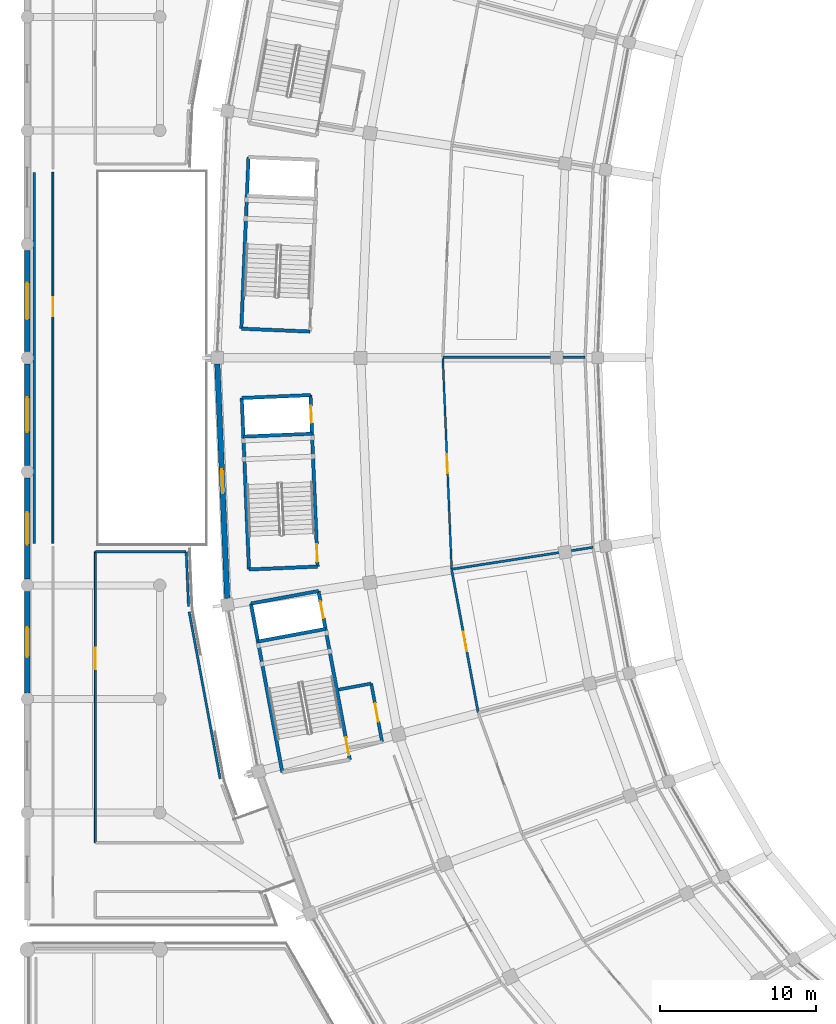
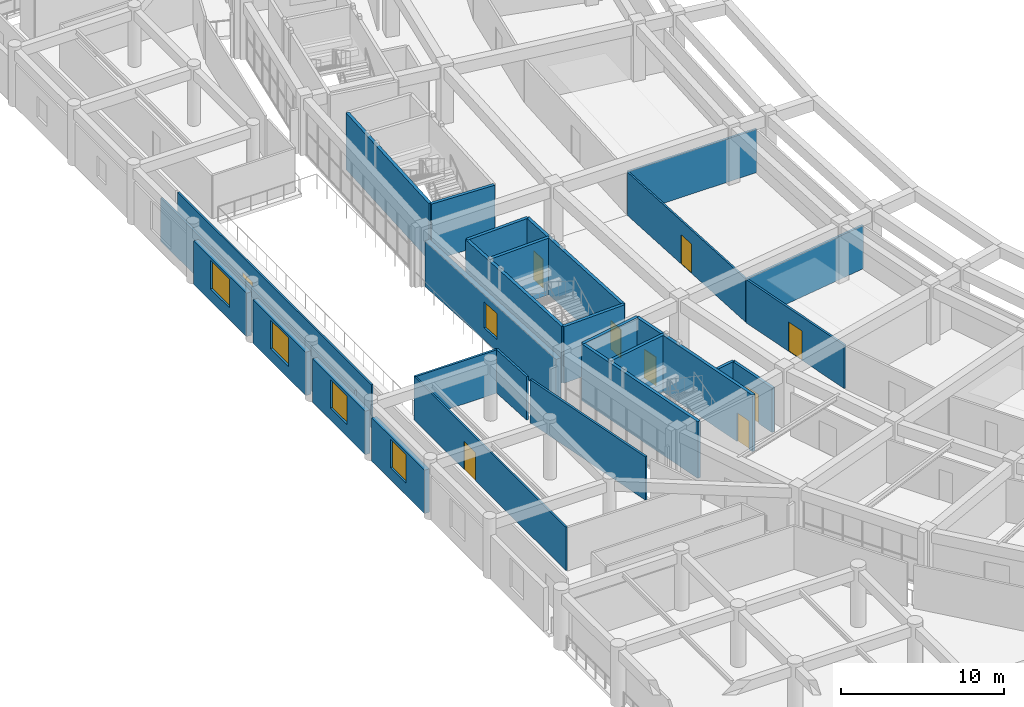
# One storey, part 97 of 145: 28 walls, 9 doors, 5 windows, 14 openings.
"""IFC4 building model written with IfcOpenShell, lengths in metres."""

from ifc_helpers import new_model, si_unit, direction, frame, frame_2d, origin, place, context, subcontext, project, spatial, rectangle, extrude, material, layer, layer_set, type_object, element, fill, save


model = new_model("IFC4")

# Units and contexts
model_context = context("Model", 3, precision=1e-05, world=origin(), true_north=direction((0.0, 1.0)))
body_context = subcontext(model_context, "Body", "Model", "MODEL_VIEW")
ifc_project = project(units=[si_unit("LENGTHUNIT", "METRE"), si_unit("AREAUNIT", "SQUARE_METRE"), si_unit("VOLUMEUNIT", "CUBIC_METRE"), si_unit("PLANEANGLEUNIT", "RADIAN"), si_unit("MASSUNIT", "GRAM", prefix="KILO")], contexts=[model_context])

# Site, building, storey
site_placement = place(None, origin())
site = spatial("IfcSite", under=ifc_project, at=site_placement, CompositionType="ELEMENT")
building_placement = place(site_placement, origin())
building = spatial("IfcBuilding", under=site, at=building_placement, Name="Mphavela Belvedere Stadium", CompositionType="ELEMENT")
storey_placement = place(building_placement, frame((0.0, 0.0, 10.199951171875)))
storey = spatial("IfcBuildingStorey", under=building, at=storey_placement, Name="L02", CompositionType="ELEMENT", Elevation=10.199951171875)

# Walls
ifc_material_1 = material(Name="Concrete C40/50", Category="concrete")
ifc_layer_1 = layer(ifc_material_1, 0.219970703125)
ifc_layer_set_1 = layer_set([ifc_layer_1], Name="Concrete C40/50")
wall_type_1 = type_object("IfcWallType", Name="WAL-CORE-SHEAR-220", PredefinedType="SHEAR", material=ifc_layer_set_1)
wall_1_placement = place(storey_placement, frame((13.737548828125, 88.87548828125, 0.0), z_axis=(0.0, 0.0, 1.0), x_axis=(0.041871977473, 0.999122984173, 0.0)))
element("IfcWall", 1, at=wall_1_placement, inside=storey, type_object=wall_type_1, Name="Core C07 shear wall L02 rear", PredefinedType="SHEAR", context=body_context, shape_type="SweptSolid", body=[
    extrude(rectangle(XDim=11.02001953125, YDim=0.219970703125, at=frame_2d((5.510009765625, 0.0))), origin(), (0.0, 0.0, 1.0), 4.25),
])
wall_2_placement = place(storey_placement, frame((18.143798828125, 88.69091796875, 0.0), z_axis=(0.0, 0.0, 1.0), x_axis=(-0.999123838087, 0.041851596941, 0.0)))
element("IfcWall", 2, at=wall_2_placement, inside=storey, type_object=wall_type_1, Name="Core C07 shear wall L02 left", PredefinedType="SHEAR", context=body_context, shape_type="SweptSolid", body=[
    extrude(rectangle(XDim=4.41015625, YDim=0.219970703125, at=frame_2d((2.205078125, 0.0))), origin(), (0.0, 0.0, 1.0), 4.25),
])
wall_3_placement = place(storey_placement, frame((14.228271484375, 73.414794921875, 0.0), z_axis=(0.0, 0.0, 1.0), x_axis=(-0.041871977473, 0.999122984173, 0.0)))
element("IfcWall", 3, at=wall_3_placement, inside=storey, type_object=wall_type_1, Name="Core C08 shear wall L02 rear", PredefinedType="SHEAR", context=body_context, shape_type="SweptSolid", body=[
    extrude(rectangle(XDim=11.02001953125, YDim=0.219970703125, at=frame_2d((5.510009765625, 0.0))), origin(), (0.0, 0.0, 1.0), 4.25),
])
for number, where, z_axis, x_axis, name in (
    (4, (18.634521484375, 73.599609375, 0.0), (0.0, 0.0, 1.0), (-0.999121521721, -0.041906859039, 0.0), "Core C08 shear wall L02 left"),
    (5, (18.173095703125, 84.60986328125, 0.0), (0.0, 0.0, 1.0), (-0.999121521721, -0.041906859039, 0.0), "Core C08 shear wall L02 right"),
):
    element("IfcWall", number, at=place(storey_placement, frame(where, z_axis=z_axis, x_axis=x_axis)), inside=storey, type_object=wall_type_1, Name=name, PredefinedType="SHEAR", context=body_context, shape_type="SweptSolid", body=[
        extrude(rectangle(XDim=4.41015625, YDim=0.219970703125, at=frame_2d((2.205078125, 0.0))), origin(), (0.0, 0.0, 1.0), 4.25),
    ])

# Wall, openings, doors
wall_4_placement = place(storey_placement, frame((18.634521484375, 73.599609375, 0.0), z_axis=(0.0, 0.0, 1.0), x_axis=(-0.041871977473, 0.999122984173, 0.0)))
wall_4 = element("IfcWall", 6, at=wall_4_placement, inside=storey, type_object=wall_type_1, Name="Core C08 shear wall L02 front", PredefinedType="SHEAR", context=body_context, shape_type="SweptSolid", body=[
    extrude(rectangle(XDim=11.02001953125, YDim=0.219970703125, at=frame_2d((5.510009765625, 0.0))), origin(), (0.0, 0.0, 1.0), 4.25),
])
opening_1_placement = place(wall_4_placement, frame((0.300048828125, 0.0, 0.0)))
opening_1 = element("IfcOpeningElement", 7, at=opening_1_placement, cuts=wall_4, Name="Opening SD-041", PredefinedType="OPENING", context=body_context, shape_type="SweptSolid", body=[
    extrude(rectangle(XDim=1.14990234375, YDim=2.14990234375, at=frame_2d((0.574951171875, 1.074951171875))), frame((0.0, 0.1201171875, 0.0), z_axis=(0.0, -1.0, 0.0), x_axis=(1.0, 0.0, 0.0)), (0.0, 0.0, 1.0), 0.239990234375),
])
opening_2_placement = place(wall_4_placement, frame((9.22998046875, 0.0, 0.0)))
opening_2 = element("IfcOpeningElement", 8, at=opening_2_placement, cuts=wall_4, Name="Opening LD-041", PredefinedType="OPENING", context=body_context, shape_type="SweptSolid", body=[
    extrude(rectangle(XDim=1.10009765625, YDim=2.14990234375, at=frame_2d((0.550048828125, 1.074951171875))), frame((0.0, 0.1201171875, 0.0), z_axis=(0.0, -1.0, 0.0), x_axis=(1.0, 0.0, 0.0)), (0.0, 0.0, 1.0), 0.239990234375),
])
ifc_material_2 = material(Name="Stainless steel center-parting lift landing door", Category="steel")
door_type_1 = type_object("IfcDoorType", Name="DR-LIFT-SLIDE-1100", OperationType="NOTDEFINED", PredefinedType="DOOR", material=ifc_material_2)
door_1_placement = place(opening_2_placement, origin())
door_1 = element("IfcDoor", 9, at=door_1_placement, inside=storey, type_object=door_type_1, Name="Lift landing sliding door PL04 L02", OperationType="DOUBLE_DOOR_SLIDING", OverallHeight=2.14990234375, OverallWidth=1.10009765625, PredefinedType="DOOR", context=body_context, shape_type="SweptSolid", body=[
    extrude(rectangle(XDim=1.10009765625, YDim=2.14990234375, at=frame_2d((0.550048828125, 1.074951171875))), frame((0.0, 0.02490234375, 0.0), z_axis=(0.0, -1.0, 0.0), x_axis=(1.0, 0.0, 0.0)), (0.0, 0.0, 1.0), 0.050048828125),
])
fill(opening_2, door_1)
ifc_material_3 = material(Name="Steel acoustic fire-resisting stair doorset", Category="steel")
door_type_2 = type_object("IfcDoorType", Name="DR-STAIR-FIRE-1150", OperationType="NOTDEFINED", PredefinedType="DOOR", material=ifc_material_3)
door_2_placement = place(opening_1_placement, origin())
door_2 = element("IfcDoor", 10, at=door_2_placement, inside=storey, type_object=door_type_2, Name="Escape stair fire door C08 L02", OperationType="SINGLE_SWING_LEFT", OverallHeight=2.14990234375, OverallWidth=1.14990234375, PredefinedType="DOOR", context=body_context, shape_type="SweptSolid", body=[
    extrude(rectangle(XDim=1.14990234375, YDim=2.14990234375, at=frame_2d((0.574951171875, 1.074951171875))), frame((0.0, 0.02490234375, 0.0), z_axis=(0.0, -1.0, 0.0), x_axis=(1.0, 0.0, 0.0)), (0.0, 0.0, 1.0), 0.050048828125),
])
fill(opening_1, door_2)

# Walls
wall_5_placement = place(storey_placement, frame((18.27685546875, 82.132080078125, 0.0), z_axis=(0.0, 0.0, 1.0), x_axis=(-0.999121521721, -0.041906859039, 0.0)))
element("IfcWall", 11, at=wall_5_placement, inside=storey, type_object=wall_type_1, Name="Core C08 shear wall L02 div", PredefinedType="SHEAR", context=body_context, shape_type="SweptSolid", body=[
    extrude(rectangle(XDim=4.41015625, YDim=0.219970703125, at=frame_2d((2.205078125, 0.0))), origin(), (0.0, 0.0, 1.0), 4.25),
])
wall_6_placement = place(storey_placement, frame((16.367919921875, 60.391845703125, 0.0), z_axis=(0.0, 0.0, 1.0), x_axis=(-0.182570778451, 0.983192712979, 0.0)))
element("IfcWall", 12, at=wall_6_placement, inside=storey, type_object=wall_type_1, Name="Core C09 shear wall L02 rear", PredefinedType="SHEAR", context=body_context, shape_type="SweptSolid", body=[
    extrude(rectangle(XDim=11.020263671875, YDim=0.219970703125, at=frame_2d((5.51025390625, 0.0))), origin(), (0.0, 0.0, 1.0), 4.25),
])
wall_7_placement = place(storey_placement, frame((18.69189453125, 72.031982421875, 0.0), z_axis=(0.0, 0.0, 1.0), x_axis=(-0.983191575486, -0.182576904051, 0.0)))
element("IfcWall", 13, at=wall_7_placement, inside=storey, type_object=wall_type_1, Name="Core C09 shear wall L02 right", PredefinedType="SHEAR", context=body_context, shape_type="SweptSolid", body=[
    extrude(rectangle(XDim=4.41015625, YDim=0.219970703125, at=frame_2d((2.205078125, 0.0))), origin(), (0.0, 0.0, 1.0), 4.25),
])

# Wall, openings, doors
wall_8_placement = place(storey_placement, frame((20.703857421875, 61.197021484375, 0.0), z_axis=(0.0, 0.0, 1.0), x_axis=(-0.182570778451, 0.983192712979, 0.0)))
wall_8 = element("IfcWall", 14, at=wall_8_placement, inside=storey, type_object=wall_type_1, Name="Core C09 shear wall L02 front", PredefinedType="SHEAR", context=body_context, shape_type="SweptSolid", body=[
    extrude(rectangle(XDim=11.020263671875, YDim=0.219970703125, at=frame_2d((5.51025390625, 0.0))), origin(), (0.0, 0.0, 1.0), 4.25),
])
opening_3_placement = place(wall_8_placement, frame((0.300048828125, 0.0, 0.0)))
opening_3 = element("IfcOpeningElement", 15, at=opening_3_placement, cuts=wall_8, Name="Opening SD-047", PredefinedType="OPENING", context=body_context, shape_type="SweptSolid", body=[
    extrude(rectangle(XDim=1.14990234375, YDim=2.14990234375, at=frame_2d((0.574951171875, 1.074951171875))), frame((0.0, 0.1201171875, 0.0), z_axis=(0.0, -1.0, 0.0), x_axis=(1.0, 0.0, 0.0)), (0.0, 0.0, 1.0), 0.239990234375),
])
opening_4_placement = place(wall_8_placement, frame((9.22998046875, 0.0, 0.0)))
opening_4 = element("IfcOpeningElement", 16, at=opening_4_placement, cuts=wall_8, Name="Opening LD-047", PredefinedType="OPENING", context=body_context, shape_type="SweptSolid", body=[
    extrude(rectangle(XDim=1.10009765625, YDim=2.14990234375, at=frame_2d((0.550048828125, 1.074951171875))), frame((0.0, 0.1201171875, 0.0), z_axis=(0.0, -1.0, 0.0), x_axis=(1.0, 0.0, 0.0)), (0.0, 0.0, 1.0), 0.239990234375),
])
door_3_placement = place(opening_4_placement, origin())
door_3 = element("IfcDoor", 17, at=door_3_placement, inside=storey, type_object=door_type_1, Name="Lift landing sliding door FL04 L02", OperationType="DOUBLE_DOOR_SLIDING", OverallHeight=2.14990234375, OverallWidth=1.10009765625, PredefinedType="DOOR", context=body_context, shape_type="SweptSolid", body=[
    extrude(rectangle(XDim=1.10009765625, YDim=2.14990234375, at=frame_2d((0.550048828125, 1.074951171875))), frame((0.0, 0.02490234375, 0.0), z_axis=(0.0, -1.0, 0.0), x_axis=(1.0, 0.0, 0.0)), (0.0, 0.0, 1.0), 0.050048828125),
])
fill(opening_4, door_3)
door_4_placement = place(opening_3_placement, origin())
door_4 = element("IfcDoor", 18, at=door_4_placement, inside=storey, type_object=door_type_2, Name="Escape stair fire door C09 L02", OperationType="SINGLE_SWING_LEFT", OverallHeight=2.14990234375, OverallWidth=1.14990234375, PredefinedType="DOOR", context=body_context, shape_type="SweptSolid", body=[
    extrude(rectangle(XDim=1.14990234375, YDim=2.14990234375, at=frame_2d((0.574951171875, 1.074951171875))), frame((0.0, 0.02490234375, 0.0), z_axis=(0.0, -1.0, 0.0), x_axis=(1.0, 0.0, 0.0)), (0.0, 0.0, 1.0), 0.050048828125),
])
fill(opening_3, door_4)

# Wall
wall_9_placement = place(storey_placement, frame((19.14453125, 69.593505859375, 0.0), z_axis=(0.0, 0.0, 1.0), x_axis=(-0.983189729951, -0.18258684213, 0.0)))
element("IfcWall", 19, at=wall_9_placement, inside=storey, type_object=wall_type_1, Name="Core C09 shear wall L02 div", PredefinedType="SHEAR", context=body_context, shape_type="SweptSolid", body=[
    extrude(rectangle(XDim=4.409912109375, YDim=0.219970703125, at=frame_2d((2.205078125, 0.0))), origin(), (0.0, 0.0, 1.0), 4.25),
])

# Wall, opening, window
ifc_material_4 = material(Name="Honed ashlar limestone masonry", Category="masonry")
ifc_layer_2 = layer(ifc_material_4, 0.35009765625)
ifc_layer_set_2 = layer_set([ifc_layer_2], Name="Honed ashlar limestone masonry")
wall_type_2 = type_object("IfcWallType", Name="WAL-EXT-ASHLAR-350", PredefinedType="STANDARD", material=ifc_layer_set_2)
wall_10_placement = place(storey_placement, frame((12.19677734375, 86.602294921875, 0.0), z_axis=(0.0, 0.0, 1.0), x_axis=(0.041898189147, -0.99912188533, 0.0)))
wall_10 = element("IfcWall", 20, at=wall_10_placement, inside=storey, type_object=wall_type_2, Name="Classical ashlar facade wall L02-25", PredefinedType="STANDARD", context=body_context, shape_type="SweptSolid", body=[
    extrude(rectangle(XDim=15.062744140625, YDim=0.35009765625, at=frame_2d((7.53125, 0.0))), origin(), (0.0, 0.0, 1.0), 3.420166015625),
])
opening_5_placement = place(wall_10_placement, frame((6.771484375, 0.0, 0.89990234375)))
opening_5 = element("IfcOpeningElement", 21, at=opening_5_placement, cuts=wall_10, Name="Opening W-026", PredefinedType="OPENING", context=body_context, shape_type="SweptSolid", body=[
    extrude(rectangle(XDim=1.52001953125, YDim=1.949951171875, at=frame_2d((0.760009765625, 0.97509765625))), frame((0.0, 0.18505859375, 0.0), z_axis=(0.0, -1.0, 0.0), x_axis=(1.0, 0.0, 0.0)), (0.0, 0.0, 1.0), 0.3701171875),
])
ifc_material_5 = material(Name="Bronze-anodised thermally broken aluminium window", Category="aluminium")
window_type_1 = type_object("IfcWindowType", Name="WIN-EXT-26", PartitioningType="SINGLE_PANEL", PredefinedType="WINDOW", material=ifc_material_5)
window_1_placement = place(opening_5_placement, origin())
window_1 = element("IfcWindow", 22, at=window_1_placement, inside=storey, type_object=window_type_1, Name="Belvedere gallery window W-026", OverallHeight=1.949951171875, OverallWidth=1.52001953125, PartitioningType="SINGLE_PANEL", PredefinedType="WINDOW", context=body_context, shape_type="SweptSolid", body=[
    extrude(rectangle(XDim=1.52001953125, YDim=1.949951171875, at=frame_2d((0.760009765625, 0.97509765625))), frame((0.0, 0.030029296875, 0.0), z_axis=(0.0, -1.0, 0.0), x_axis=(1.0, 0.0, 0.0)), (0.0, 0.0, 1.0), 0.06005859375),
])
fill(opening_5, window_1)

wall_11_placement = place(storey_placement, frame((0.0, 65.498046875, 0.0), z_axis=(0.0, 0.0, 1.0), x_axis=(0.0, 1.0, 0.0)))
wall_11 = element("IfcWall", 23, at=wall_11_placement, inside=storey, type_object=wall_type_2, Name="West Planted Eaves Peristyle Colonnade outer facade bay L02-03", PredefinedType="STANDARD", context=body_context, shape_type="SweptSolid", body=[
    extrude(rectangle(XDim=6.50390625, YDim=0.35009765625, at=frame_2d((3.251953125, 0.0))), origin(), (0.0, 0.0, 1.0), 3.260009765625),
])
opening_6_placement = place(wall_11_placement, frame((2.281982421875, 0.0, 0.89990234375)))
opening_6 = element("IfcOpeningElement", 24, at=opening_6_placement, cuts=wall_11, Name="Opening W-260", PredefinedType="OPENING", context=body_context, shape_type="SweptSolid", body=[
    extrude(rectangle(XDim=1.93994140625, YDim=2.14990234375, at=frame_2d((0.969970703125, 1.074951171875))), frame((0.0, 0.18505859375, 0.0), z_axis=(0.0, -1.0, 0.0), x_axis=(1.0, 0.0, 0.0)), (0.0, 0.0, 1.0), 0.3701171875),
])
ifc_material_6 = material(Name="Bronze-anodised thermally broken aluminium window", Category="aluminium")
window_type_2 = type_object("IfcWindowType", Name="WIN-EXT-40", PartitioningType="SINGLE_PANEL", PredefinedType="WINDOW", material=ifc_material_6)
window_2_placement = place(opening_6_placement, origin())
window_2 = element("IfcWindow", 25, at=window_2_placement, inside=storey, type_object=window_type_2, Name="West Planted Eaves Peristyle Colonnade classical window W-260", OverallHeight=2.14990234375, OverallWidth=1.93994140625, PartitioningType="SINGLE_PANEL", PredefinedType="WINDOW", context=body_context, shape_type="SweptSolid", body=[
    extrude(rectangle(XDim=1.93994140625, YDim=2.14990234375, at=frame_2d((0.969970703125, 1.074951171875))), frame((0.0, 0.030029296875, 0.0), z_axis=(0.0, -1.0, 0.0), x_axis=(1.0, 0.0, 0.0)), (0.0, 0.0, 1.0), 0.06005859375),
])
fill(opening_6, window_2)

wall_12_placement = place(storey_placement, frame((0.0, 72.798095703125, 0.0), z_axis=(0.0, 0.0, 1.0), x_axis=(0.0, 1.0, 0.0)))
wall_12 = element("IfcWall", 26, at=wall_12_placement, inside=storey, type_object=wall_type_2, Name="West Planted Eaves Peristyle Colonnade outer facade bay L02-04", PredefinedType="STANDARD", context=body_context, shape_type="SweptSolid", body=[
    extrude(rectangle(XDim=6.50390625, YDim=0.35009765625, at=frame_2d((3.251953125, 0.0))), origin(), (0.0, 0.0, 1.0), 3.260009765625),
])
opening_7_placement = place(wall_12_placement, frame((2.2119140625, 0.0, 0.89990234375)))
opening_7 = element("IfcOpeningElement", 27, at=opening_7_placement, cuts=wall_12, Name="Opening W-261", PredefinedType="OPENING", context=body_context, shape_type="SweptSolid", body=[
    extrude(rectangle(XDim=2.080078125, YDim=2.14990234375, at=frame_2d((1.0400390625, 1.074951171875))), frame((0.0, 0.18505859375, 0.0), z_axis=(0.0, -1.0, 0.0), x_axis=(1.0, 0.0, 0.0)), (0.0, 0.0, 1.0), 0.3701171875),
])
ifc_material_7 = material(Name="Bronze-anodised thermally broken aluminium window", Category="aluminium")
window_type_3 = type_object("IfcWindowType", Name="WIN-EXT-41", PartitioningType="SINGLE_PANEL", PredefinedType="WINDOW", material=ifc_material_7)
window_3_placement = place(opening_7_placement, origin())
window_3 = element("IfcWindow", 28, at=window_3_placement, inside=storey, type_object=window_type_3, Name="West Planted Eaves Peristyle Colonnade classical window W-261", OverallHeight=2.14990234375, OverallWidth=2.080078125, PartitioningType="SINGLE_PANEL", PredefinedType="WINDOW", context=body_context, shape_type="SweptSolid", body=[
    extrude(rectangle(XDim=2.080078125, YDim=2.14990234375, at=frame_2d((1.0400390625, 1.074951171875))), frame((0.0, 0.030029296875, 0.0), z_axis=(0.0, -1.0, 0.0), x_axis=(1.0, 0.0, 0.0)), (0.0, 0.0, 1.0), 0.06005859375),
])
fill(opening_7, window_3)

wall_13_placement = place(storey_placement, frame((0.0, 80.097900390625, 0.0), z_axis=(0.0, 0.0, 1.0), x_axis=(0.0, 1.0, 0.0)))
wall_13 = element("IfcWall", 29, at=wall_13_placement, inside=storey, type_object=wall_type_2, Name="West Planted Eaves Peristyle Colonnade outer facade bay L02-05", PredefinedType="STANDARD", context=body_context, shape_type="SweptSolid", body=[
    extrude(rectangle(XDim=6.504150390625, YDim=0.35009765625, at=frame_2d((3.251953125, 0.0))), origin(), (0.0, 0.0, 1.0), 3.260009765625),
])
opening_8_placement = place(wall_13_placement, frame((2.14208984375, 0.0, 0.89990234375)))
opening_8 = element("IfcOpeningElement", 30, at=opening_8_placement, cuts=wall_13, Name="Opening W-262", PredefinedType="OPENING", context=body_context, shape_type="SweptSolid", body=[
    extrude(rectangle(XDim=2.219970703125, YDim=2.14990234375, at=frame_2d((1.10986328125, 1.074951171875))), frame((0.0, 0.18505859375, 0.0), z_axis=(0.0, -1.0, 0.0), x_axis=(1.0, 0.0, 0.0)), (0.0, 0.0, 1.0), 0.3701171875),
])
ifc_material_8 = material(Name="Bronze-anodised thermally broken aluminium window", Category="aluminium")
window_type_4 = type_object("IfcWindowType", Name="WIN-EXT-42", PartitioningType="SINGLE_PANEL", PredefinedType="WINDOW", material=ifc_material_8)
window_4_placement = place(opening_8_placement, origin())
window_4 = element("IfcWindow", 31, at=window_4_placement, inside=storey, type_object=window_type_4, Name="West Planted Eaves Peristyle Colonnade classical window W-262", OverallHeight=2.14990234375, OverallWidth=2.219970703125, PartitioningType="SINGLE_PANEL", PredefinedType="WINDOW", context=body_context, shape_type="SweptSolid", body=[
    extrude(rectangle(XDim=2.219970703125, YDim=2.14990234375, at=frame_2d((1.10986328125, 1.074951171875))), frame((0.0, 0.030029296875, 0.0), z_axis=(0.0, -1.0, 0.0), x_axis=(1.0, 0.0, 0.0)), (0.0, 0.0, 1.0), 0.06005859375),
])
fill(opening_8, window_4)

wall_14_placement = place(storey_placement, frame((0.0, 87.39794921875, 0.0), z_axis=(0.0, 0.0, 1.0), x_axis=(0.0, 1.0, 0.0)))
wall_14 = element("IfcWall", 32, at=wall_14_placement, inside=storey, type_object=wall_type_2, Name="West Planted Eaves Peristyle Colonnade outer facade bay L02-06", PredefinedType="STANDARD", context=body_context, shape_type="SweptSolid", body=[
    extrude(rectangle(XDim=6.504150390625, YDim=0.35009765625, at=frame_2d((3.251953125, 0.0))), origin(), (0.0, 0.0, 1.0), 3.260009765625),
])
opening_9_placement = place(wall_14_placement, frame((2.072021484375, 0.0, 0.89990234375)))
opening_9 = element("IfcOpeningElement", 33, at=opening_9_placement, cuts=wall_14, Name="Opening W-263", PredefinedType="OPENING", context=body_context, shape_type="SweptSolid", body=[
    extrude(rectangle(XDim=2.360107421875, YDim=2.14990234375, at=frame_2d((1.18017578125, 1.074951171875))), frame((0.0, 0.18505859375, 0.0), z_axis=(0.0, -1.0, 0.0), x_axis=(1.0, 0.0, 0.0)), (0.0, 0.0, 1.0), 0.3701171875),
])
ifc_material_9 = material(Name="Bronze-anodised thermally broken aluminium window", Category="aluminium")
window_type_5 = type_object("IfcWindowType", Name="WIN-EXT-43", PartitioningType="SINGLE_PANEL", PredefinedType="WINDOW", material=ifc_material_9)
window_5_placement = place(opening_9_placement, origin())
window_5 = element("IfcWindow", 34, at=window_5_placement, inside=storey, type_object=window_type_5, Name="West Planted Eaves Peristyle Colonnade classical window W-263", OverallHeight=2.14990234375, OverallWidth=2.360107421875, PartitioningType="SINGLE_PANEL", PredefinedType="WINDOW", context=body_context, shape_type="SweptSolid", body=[
    extrude(rectangle(XDim=2.360107421875, YDim=2.14990234375, at=frame_2d((1.18017578125, 1.074951171875))), frame((0.0, 0.030029296875, 0.0), z_axis=(0.0, -1.0, 0.0), x_axis=(1.0, 0.0, 0.0)), (0.0, 0.0, 1.0), 0.06005859375),
])
fill(opening_9, window_5)

# Wall, opening, door
ifc_material_10 = material(Name="Moisture-resistant sanitary partition assembly")
ifc_layer_3 = layer(ifc_material_10, 0.125)
ifc_layer_set_3 = layer_set([ifc_layer_3], Name="Moisture-resistant sanitary partition assembly")
wall_type_3 = type_object("IfcWallType", Name="WAL-PART-125", PredefinedType="PARTITIONING", material=ifc_layer_set_3)
wall_15_placement = place(storey_placement, frame((27.2421875, 73.4287109375, 0.0), z_axis=(0.0, 0.0, 1.0), x_axis=(-0.041894479342, 0.999122040894, 0.0)))
wall_15 = element("IfcWall", 35, at=wall_15_placement, inside=storey, type_object=wall_type_3, Name="Room L02-96 corridor partition", PredefinedType="PARTITIONING", context=body_context, shape_type="SweptSolid", body=[
    extrude(rectangle(XDim=13.543212890625, YDim=0.125, at=frame_2d((6.771484375, 0.0))), origin(), (0.0, 0.0, 1.0), 3.25),
])
opening_10_placement = place(wall_15_placement, frame((6.16162109375, 0.0, 0.0)))
opening_10 = element("IfcOpeningElement", 36, at=opening_10_placement, cuts=wall_15, Name="Opening ID-201", PredefinedType="OPENING", context=body_context, shape_type="SweptSolid", body=[
    extrude(rectangle(XDim=1.219970703125, YDim=2.199951171875, at=frame_2d((0.60986328125, 1.10009765625))), frame((0.0, 0.072509765625, 0.0), z_axis=(0.0, -1.0, 0.0), x_axis=(1.0, 0.0, 0.0)), (0.0, 0.0, 1.0), 0.14501953125),
])
ifc_material_11 = material(Name="Hardwood acoustic timber doorset", Category="wood")
door_type_3 = type_object("IfcDoorType", Name="DR-INT-21", OperationType="NOTDEFINED", PredefinedType="DOOR", material=ifc_material_11)
door_5_placement = place(opening_10_placement, origin())
door_5 = element("IfcDoor", 37, at=door_5_placement, inside=storey, type_object=door_type_3, Name="Room L02-96 entrance door ID-201", OperationType="SINGLE_SWING_LEFT", OverallHeight=2.199951171875, OverallWidth=1.219970703125, PredefinedType="DOOR", context=body_context, shape_type="SweptSolid", body=[
    extrude(rectangle(XDim=1.219970703125, YDim=2.199951171875, at=frame_2d((0.60986328125, 1.10009765625))), frame((0.0, 0.02490234375, 0.0), z_axis=(0.0, -1.0, 0.0), x_axis=(1.0, 0.0, 0.0)), (0.0, 0.0, 1.0), 0.050048828125),
])
fill(opening_10, door_5)

wall_16_placement = place(storey_placement, frame((1.639892578125, 98.916748046875, 0.0), z_axis=(0.0, 0.0, 1.0), x_axis=(0.0, -1.0, 0.0)))
wall_16 = element("IfcWall", 38, at=wall_16_placement, inside=storey, type_object=wall_type_3, Name="Room L02-190 corridor partition", PredefinedType="PARTITIONING", context=body_context, shape_type="SweptSolid", body=[
    extrude(rectangle(XDim=23.83349609375, YDim=0.125, at=frame_2d((11.916748046875, 0.0))), origin(), (0.0, 0.0, 1.0), 3.25),
])
opening_11_placement = place(wall_16_placement, frame((8.0107421875, 0.0, 0.0)))
opening_11 = element("IfcOpeningElement", 39, at=opening_11_placement, cuts=wall_16, Name="Opening ID-513", PredefinedType="OPENING", context=body_context, shape_type="SweptSolid", body=[
    extrude(rectangle(XDim=1.219970703125, YDim=2.10009765625, at=frame_2d((0.60986328125, 1.050048828125))), frame((0.0, 0.072509765625, 0.0), z_axis=(0.0, -1.0, 0.0), x_axis=(1.0, 0.0, 0.0)), (0.0, 0.0, 1.0), 0.14501953125),
])
ifc_material_12 = material(Name="Hardwood acoustic timber doorset", Category="wood")
door_type_4 = type_object("IfcDoorType", Name="DR-INT-09", OperationType="NOTDEFINED", PredefinedType="DOOR", material=ifc_material_12)
door_6_placement = place(opening_11_placement, origin())
door_6 = element("IfcDoor", 40, at=door_6_placement, inside=storey, type_object=door_type_4, Name="Room L02-190 entrance door ID-513", OperationType="SINGLE_SWING_LEFT", OverallHeight=2.10009765625, OverallWidth=1.219970703125, PredefinedType="DOOR", context=body_context, shape_type="SweptSolid", body=[
    extrude(rectangle(XDim=1.219970703125, YDim=2.10009765625, at=frame_2d((0.60986328125, 1.050048828125))), frame((0.0, 0.02490234375, 0.0), z_axis=(0.0, -1.0, 0.0), x_axis=(1.0, 0.0, 0.0)), (0.0, 0.0, 1.0), 0.050048828125),
])
fill(opening_11, door_6)

wall_17_placement = place(storey_placement, frame((4.360107421875, 55.860107421875, 0.0), z_axis=(0.0, 0.0, 1.0), x_axis=(0.0, 1.0, 0.0)))
wall_17 = element("IfcWall", 41, at=wall_17_placement, inside=storey, type_object=wall_type_3, Name="Room L02-193 corridor partition", PredefinedType="PARTITIONING", context=body_context, shape_type="SweptSolid", body=[
    extrude(rectangle(XDim=18.68994140625, YDim=0.125, at=frame_2d((9.344970703125, 0.0))), origin(), (0.0, 0.0, 1.0), 3.25),
])
opening_12_placement = place(wall_17_placement, frame((11.142578125, 0.0, 0.0)))
opening_12 = element("IfcOpeningElement", 42, at=opening_12_placement, cuts=wall_17, Name="Opening ID-516", PredefinedType="OPENING", context=body_context, shape_type="SweptSolid", body=[
    extrude(rectangle(XDim=1.39990234375, YDim=2.10009765625, at=frame_2d((0.699951171875, 1.050048828125))), frame((0.0, 0.072509765625, 0.0), z_axis=(0.0, -1.0, 0.0), x_axis=(1.0, 0.0, 0.0)), (0.0, 0.0, 1.0), 0.14501953125),
])
ifc_material_13 = material(Name="Hardwood acoustic timber doorset", Category="wood")
door_type_5 = type_object("IfcDoorType", Name="DR-INT-12", OperationType="NOTDEFINED", PredefinedType="DOOR", material=ifc_material_13)
door_7_placement = place(opening_12_placement, origin())
door_7 = element("IfcDoor", 43, at=door_7_placement, inside=storey, type_object=door_type_5, Name="Room L02-193 entrance door ID-516", OperationType="SINGLE_SWING_RIGHT", OverallHeight=2.10009765625, OverallWidth=1.39990234375, PredefinedType="DOOR", context=body_context, shape_type="SweptSolid", body=[
    extrude(rectangle(XDim=1.39990234375, YDim=2.10009765625, at=frame_2d((0.699951171875, 1.050048828125))), frame((0.0, 0.02490234375, 0.0), z_axis=(0.0, -1.0, 0.0), x_axis=(1.0, 0.0, 0.0)), (0.0, 0.0, 1.0), 0.050048828125),
])
fill(opening_12, door_7)

ifc_material_14 = material(Name="Acoustic gypsum stud partition assembly")
ifc_layer_4 = layer(ifc_material_14, 0.14990234375)
ifc_layer_set_4 = layer_set([ifc_layer_4], Name="Acoustic gypsum stud partition assembly")
wall_type_4 = type_object("IfcWallType", Name="WAL-PART-150", PredefinedType="PARTITIONING", material=ifc_layer_set_4)
wall_18_placement = place(storey_placement, frame((28.946533203125, 64.220947265625, 0.0), z_axis=(0.0, 0.0, 1.0), x_axis=(-0.182600545941, 0.983187184936, 0.0)))
wall_18 = element("IfcWall", 44, at=wall_18_placement, inside=storey, type_object=wall_type_4, Name="Room L02-98 corridor partition", PredefinedType="PARTITIONING", context=body_context, shape_type="SweptSolid", body=[
    extrude(rectangle(XDim=9.2841796875, YDim=0.14990234375, at=frame_2d((4.64208984375, 0.0))), origin(), (0.0, 0.0, 1.0), 3.25),
])
opening_13_placement = place(wall_18_placement, frame((4.01220703125, 0.0, 0.0)))
opening_13 = element("IfcOpeningElement", 45, at=opening_13_placement, cuts=wall_18, Name="Opening ID-202", PredefinedType="OPENING", context=body_context, shape_type="SweptSolid", body=[
    extrude(rectangle(XDim=1.260009765625, YDim=2.199951171875, at=frame_2d((0.6298828125, 1.10009765625))), frame((0.0, 0.0849609375, 0.0), z_axis=(0.0, -1.0, 0.0), x_axis=(1.0, 0.0, 0.0)), (0.0, 0.0, 1.0), 0.169921875),
])
ifc_material_15 = material(Name="Hardwood acoustic timber doorset", Category="wood")
door_type_6 = type_object("IfcDoorType", Name="DR-INT-22", OperationType="NOTDEFINED", PredefinedType="DOOR", material=ifc_material_15)
door_8_placement = place(opening_13_placement, origin())
door_8 = element("IfcDoor", 46, at=door_8_placement, inside=storey, type_object=door_type_6, Name="Room L02-98 entrance door ID-202", OperationType="SINGLE_SWING_RIGHT", OverallHeight=2.199951171875, OverallWidth=1.260009765625, PredefinedType="DOOR", context=body_context, shape_type="SweptSolid", body=[
    extrude(rectangle(XDim=1.260009765625, YDim=2.199951171875, at=frame_2d((0.6298828125, 1.10009765625))), frame((0.0, 0.02490234375, 0.0), z_axis=(0.0, -1.0, 0.0), x_axis=(1.0, 0.0, 0.0)), (0.0, 0.0, 1.0), 0.050048828125),
])
fill(opening_13, door_8)

# Walls
wall_19_placement = place(storey_placement, frame((35.8095703125, 87.0400390625, 0.0), z_axis=(0.0, 0.0, 1.0), x_axis=(-1.0, 0.0, 0.0)))
element("IfcWall", 47, at=wall_19_placement, inside=storey, type_object=wall_type_4, Name="Room divider partition L02-0358", PredefinedType="PARTITIONING", context=body_context, shape_type="SweptSolid", body=[
    extrude(rectangle(XDim=9.134765625, YDim=0.14990234375, at=frame_2d((4.5673828125, 0.0))), origin(), (0.0, 0.0, 1.0), 3.25),
])
wall_20_placement = place(storey_placement, frame((36.318115234375, 74.836181640625, 0.0), z_axis=(0.0, 0.0, 1.0), x_axis=(-0.988188135357, -0.153245584407, 0.0)))
element("IfcWall", 48, at=wall_20_placement, inside=storey, type_object=wall_type_4, Name="Room divider partition L02-0360", PredefinedType="PARTITIONING", context=body_context, shape_type="SweptSolid", body=[
    extrude(rectangle(XDim=9.184326171875, YDim=0.14990234375, at=frame_2d((4.59228515625, 0.0))), origin(), (0.0, 0.0, 1.0), 3.25),
])
wall_21_placement = place(storey_placement, frame((0.449951171875, 75.083251953125, 0.0), z_axis=(0.0, 0.0, 1.0), x_axis=(0.0, 1.0, 0.0)))
element("IfcWall", 49, at=wall_21_placement, inside=storey, type_object=wall_type_4, Name="Room divider partition L02-1167", PredefinedType="PARTITIONING", context=body_context, shape_type="SweptSolid", body=[
    extrude(rectangle(XDim=23.83349609375, YDim=0.14990234375, at=frame_2d((11.916748046875, 0.0))), origin(), (0.0, 0.0, 1.0), 3.25),
])
wall_22_placement = place(storey_placement, frame((10.38671875, 70.698486328125, 0.0), z_axis=(0.0, 0.0, 1.0), x_axis=(0.182620957058, -0.983183393901, 0.0)))
element("IfcWall", 50, at=wall_22_placement, inside=storey, type_object=wall_type_4, Name="Room divider partition L02-1171", PredefinedType="PARTITIONING", context=body_context, shape_type="SweptSolid", body=[
    extrude(rectangle(XDim=10.90087890625, YDim=0.14990234375, at=frame_2d((5.450439453125, 0.0))), origin(), (0.0, 0.0, 1.0), 3.25),
])
wall_23_placement = place(storey_placement, frame((4.360107421875, 74.550048828125, 0.0), z_axis=(0.0, 0.0, 1.0), x_axis=(1.0, 0.0, 0.0)))
element("IfcWall", 51, at=wall_23_placement, inside=storey, type_object=wall_type_4, Name="Room divider partition L02-1174", PredefinedType="PARTITIONING", context=body_context, shape_type="SweptSolid", body=[
    extrude(rectangle(XDim=5.83984375, YDim=0.14990234375, at=frame_2d((2.919921875, 0.0))), origin(), (0.0, 0.0, 1.0), 3.25),
])
wall_24_placement = place(storey_placement, frame((10.199951171875, 74.550048828125, 0.0), z_axis=(0.0, 0.0, 1.0), x_axis=(0.041888559174, -0.999122289117, 0.0)))
element("IfcWall", 52, at=wall_24_placement, inside=storey, type_object=wall_type_4, Name="Room divider partition L02-1175", PredefinedType="PARTITIONING", context=body_context, shape_type="SweptSolid", body=[
    extrude(rectangle(XDim=3.5029296875, YDim=0.14990234375, at=frame_2d((1.75146484375, 0.0))), origin(), (0.0, 0.0, 1.0), 3.25),
])

# Wall, opening, door
ifc_material_16 = material(Name="Fire-rated calcium silicate partition assembly")
ifc_layer_5 = layer(ifc_material_16, 0.199951171875)
ifc_layer_set_5 = layer_set([ifc_layer_5], Name="Fire-rated calcium silicate partition assembly")
wall_type_5 = type_object("IfcWallType", Name="WAL-PART-FF-200", PredefinedType="PARTITIONING", material=ifc_layer_set_5)
wall_25_placement = place(storey_placement, frame((22.7724609375, 62.354248046875, 0.0), z_axis=(0.0, 0.0, 1.0), x_axis=(-0.182593081072, 0.983188571305, 0.0)))
wall_25 = element("IfcWall", 53, at=wall_25_placement, inside=storey, type_object=wall_type_5, Name="Firefighting lobby front wall C09 L02", PredefinedType="PARTITIONING", context=body_context, shape_type="SweptSolid", body=[
    extrude(rectangle(XDim=3.800048828125, YDim=0.199951171875, at=frame_2d((1.89990234375, 0.0))), origin(), (0.0, 0.0, 1.0), 3.35009765625),
])
opening_14_placement = place(wall_25_placement, frame((1.300048828125, 0.0, 0.0)))
opening_14 = element("IfcOpeningElement", 54, at=opening_14_placement, cuts=wall_25, Name="Opening FD-019", PredefinedType="OPENING", context=body_context, shape_type="SweptSolid", body=[
    extrude(rectangle(XDim=1.199951171875, YDim=2.179931640625, at=frame_2d((0.60009765625, 1.08984375))), frame((0.0, 0.10986328125, 0.0), z_axis=(0.0, -1.0, 0.0), x_axis=(1.0, 0.0, 0.0)), (0.0, 0.0, 1.0), 0.219970703125),
])
ifc_material_17 = material(Name="Steel smoke-sealed firefighting lobby doorset", Category="steel")
door_type_7 = type_object("IfcDoorType", Name="DR-FF-LOBBY-1200", OperationType="NOTDEFINED", PredefinedType="DOOR", material=ifc_material_17)
door_9_placement = place(opening_14_placement, origin())
door_9 = element("IfcDoor", 55, at=door_9_placement, inside=storey, type_object=door_type_7, Name="Firefighting lobby door C09 L02", OperationType="SINGLE_SWING_RIGHT", OverallHeight=2.179931640625, OverallWidth=1.199951171875, PredefinedType="DOOR", context=body_context, shape_type="SweptSolid", body=[
    extrude(rectangle(XDim=1.199951171875, YDim=2.179931640625, at=frame_2d((0.60009765625, 1.08984375))), frame((0.0, 0.02490234375, 0.0), z_axis=(0.0, -1.0, 0.0), x_axis=(1.0, 0.0, 0.0)), (0.0, 0.0, 1.0), 0.050048828125),
])
fill(opening_14, door_9)

# Wall
wall_26_placement = place(storey_placement, frame((22.07861328125, 66.09033203125, 0.0), z_axis=(0.0, 0.0, 1.0), x_axis=(-0.983201728106, -0.182522222892, 0.0)))
element("IfcWall", 56, at=wall_26_placement, inside=storey, type_object=wall_type_5, Name="Firefighting lobby side wall R C09 L02", PredefinedType="PARTITIONING", context=body_context, shape_type="SweptSolid", body=[
    extrude(rectangle(XDim=2.1201171875, YDim=0.199951171875, at=frame_2d((1.06005859375, 0.0))), origin(), (0.0, 0.0, 1.0), 3.35009765625),
])

save(model, "model.ifc")
